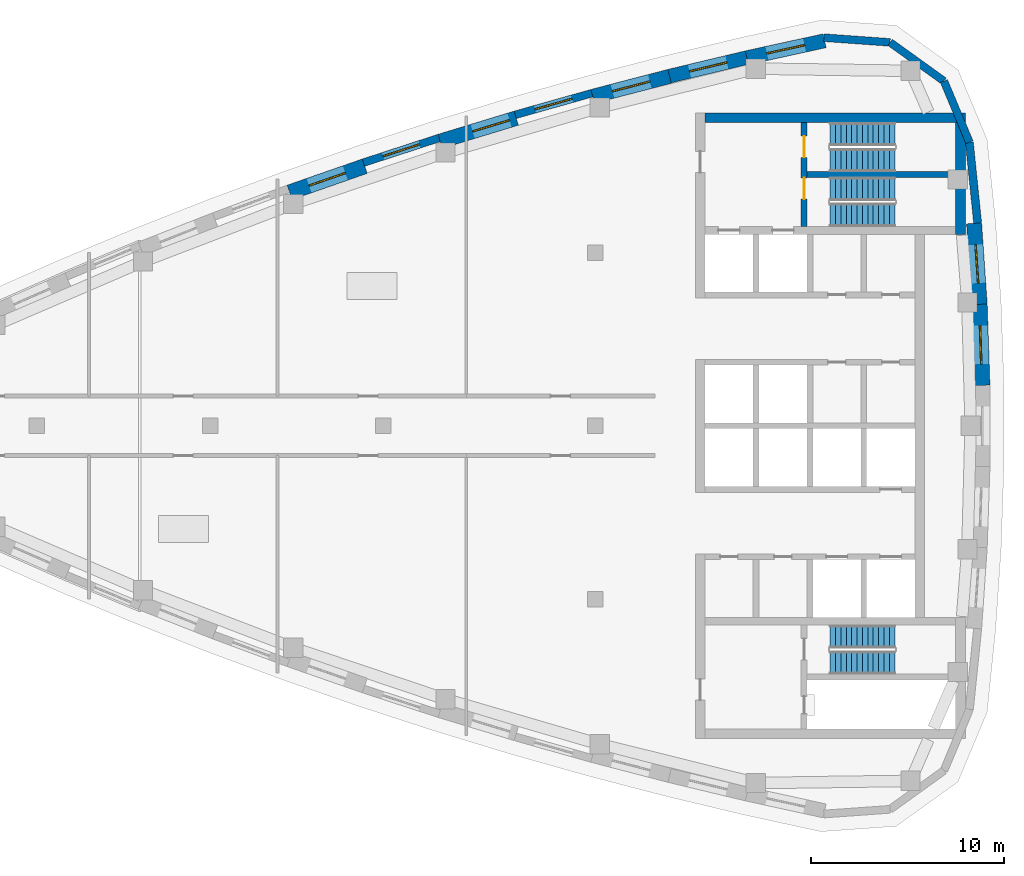
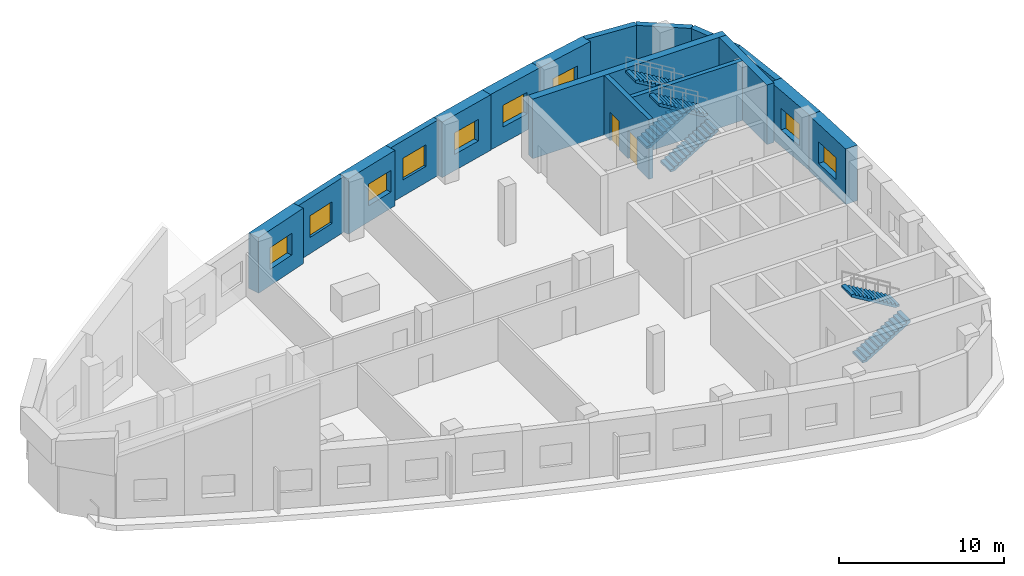
# One storey, part 4 of 7: 17 walls, 9 windows, 6 stair flights, 2 doors, 11 openings, 3 elements without a shape of their own.
"""IFC4 building model written with IfcOpenShell, lengths in metres."""

import ifcopenshell
import ifcopenshell.guid

model = None  # the IFC model being written
_history = None  # IfcOwnerHistory: only IFC2X3 demands one
_inside = {}  # id of a spatial element -> (the spatial element, [elements in it])
_under = {}  # id of a project, library or spatial element -> (it, [spatial elements below it])
_declared = {}  # id of a project -> (the project, [libraries it declares])
_typed = {}  # id of a type object -> (the type object, [elements of that type])
_made_of = {}  # id of a material, layer set ... -> (it, [elements and type objects made of it])


def new_model(schema):
    """Start an empty IFC model of exactly this schema.

    Asked for "IFC4X3", IfcOpenShell would pick the latest addendum, in which some entities
    have other attributes; the version numbers below select the first issue.
    IFC2X3 requires an IfcOwnerHistory on every rooted entity: one is made here for all.
    """
    global model, _history
    if schema == "IFC4X3":
        model = ifcopenshell.file(schema_version=(4, 3, 0, 0))
    else:
        model = ifcopenshell.file(schema=schema)
    _inside.clear()
    _under.clear()
    _declared.clear()
    _typed.clear()
    _made_of.clear()
    _history = None
    if model.schema == "IFC2X3":
        org = make("IfcOrganization", Name="unknown")
        user = make(
            "IfcPersonAndOrganization",
            ThePerson=make("IfcPerson", FamilyName="unknown"),
            TheOrganization=org,
        )
        app = make(
            "IfcApplication",
            ApplicationDeveloper=org,
            Version="unknown",
            ApplicationFullName="unknown",
            ApplicationIdentifier="unknown",
        )
        _history = make(
            "IfcOwnerHistory",
            OwningUser=user,
            OwningApplication=app,
            ChangeAction="ADDED",
            CreationDate=0,
        )
    return model


def make(cls, **values):
    """One entity of the class cls with the attributes given. An attribute that is None is left unset."""
    return model.create_entity(
        cls, **{name: value for name, value in values.items() if value is not None}
    )


def rooted(cls, **values):
    """An entity with a GlobalId (a new one), such as an element, a storey or a relation."""
    return make(cls, GlobalId=ifcopenshell.guid.new(), OwnerHistory=_history, **values)


def si_unit(unit_type, name, prefix=None):
    """IfcSIUnit, for example si_unit("LENGTHUNIT", "METRE", prefix="MILLI")."""
    return make("IfcSIUnit", UnitType=unit_type, Prefix=prefix, Name=name)


def assignment(units):
    """IfcUnitAssignment: the units of a project."""
    return None if units is None else make("IfcUnitAssignment", Units=units)


def point(xyz):
    """IfcCartesianPoint."""
    return None if xyz is None else make("IfcCartesianPoint", Coordinates=xyz)


def direction(xyz):
    """IfcDirection."""
    return None if xyz is None else make("IfcDirection", DirectionRatios=xyz)


def frame(location, z_axis=None, x_axis=None):
    """IfcAxis2Placement3D, a coordinate frame: its origin and axes. An axis left out is left unset."""
    return make(
        "IfcAxis2Placement3D",
        Location=point(location),
        Axis=direction(z_axis),
        RefDirection=direction(x_axis),
    )


def frame_2d(location, x_axis=None):
    """IfcAxis2Placement2D, a coordinate frame in the plane: its origin and x axis."""
    return make(
        "IfcAxis2Placement2D", Location=point(location), RefDirection=direction(x_axis)
    )


def origin():
    """The frame at (0, 0, 0) with its axes left unset."""
    return frame((0.0, 0.0, 0.0))


def place(relative_to, where):
    """IfcLocalPlacement: puts the frame where relative to a parent placement (None: the world)."""
    return make(
        "IfcLocalPlacement", PlacementRelTo=relative_to, RelativePlacement=where
    )


def context(
    kind, dimensions, precision=None, world=None, true_north=None, identifier=None
):
    """IfcGeometricRepresentationContext, for example the 3D "Model" context."""
    return make(
        "IfcGeometricRepresentationContext",
        ContextIdentifier=identifier,
        ContextType=kind,
        CoordinateSpaceDimension=dimensions,
        Precision=precision,
        WorldCoordinateSystem=world,
        TrueNorth=true_north,
    )


def subcontext(parent, identifier, kind, view, scale=None):
    """IfcGeometricRepresentationSubContext, for example "Body" below "Model"."""
    return make(
        "IfcGeometricRepresentationSubContext",
        ContextIdentifier=identifier,
        ContextType=kind,
        ParentContext=parent,
        TargetScale=scale,
        TargetView=view,
    )


def project(units=None, contexts=None):
    """IfcProject with its units and contexts."""
    return rooted(
        "IfcProject",
        Name="project",
        RepresentationContexts=contexts,
        UnitsInContext=assignment(units),
    )


def spatial(cls, under=None, at=None, **own):
    """A site, building, storey or space (cls), placed at a placement, below another one or the project."""
    s = rooted(cls, ObjectPlacement=at, **own)
    if under is not None:
        _under.setdefault(under.id(), (under, []))[1].append(s)
    return s


def polyline(points):
    """IfcPolyline through the points."""
    return make("IfcPolyline", Points=[point(p) for p in points])


def profile(cls, at=None, kind="AREA", **sizes):
    """A parametric profile (cls). Its sizes go by their IFC names, for example OverallWidth=200.0."""
    return make(cls, ProfileType=kind, Position=at, **sizes)


def rectangle(**sizes):
    """IfcRectangleProfileDef."""
    return profile("IfcRectangleProfileDef", **sizes)


def outline(outer, holes=None, kind="AREA"):
    """IfcArbitraryClosedProfileDef: a profile drawn as a closed curve; with holes, ...WithVoids."""
    if holes is None:
        return make("IfcArbitraryClosedProfileDef", ProfileType=kind, OuterCurve=outer)
    return make(
        "IfcArbitraryProfileDefWithVoids",
        ProfileType=kind,
        OuterCurve=outer,
        InnerCurves=holes,
    )


def extrude(swept, where, along, depth):
    """IfcExtrudedAreaSolid: the profile swept, set in the frame where, extruded along a direction by depth."""
    return make(
        "IfcExtrudedAreaSolid",
        SweptArea=swept,
        Position=where,
        ExtrudedDirection=direction(along),
        Depth=depth,
    )


def shape(context_of_items, identifier, shape_type, items):
    """IfcShapeRepresentation: the items that make up one representation, for example the "Body"."""
    return make(
        "IfcShapeRepresentation",
        ContextOfItems=context_of_items,
        RepresentationIdentifier=identifier,
        RepresentationType=shape_type,
        Items=items,
    )


def material(Name=None, Category=None):
    """IfcMaterial."""
    return make("IfcMaterial", Name=Name, Category=Category)


def layer(
    of_material, thickness, ventilated=None, Name=None, Category=None, Priority=None
):
    """IfcMaterialLayer: one layer of a wall or slab, of a material (None: an air gap)."""
    return make(
        "IfcMaterialLayer",
        Material=of_material,
        LayerThickness=thickness,
        IsVentilated=ventilated,
        Name=Name,
        Category=Category,
        Priority=Priority,
    )


def layer_set(layers, Name=None):
    """IfcMaterialLayerSet."""
    return make("IfcMaterialLayerSet", MaterialLayers=layers, LayerSetName=Name)


def made_of(thing, what):
    """Note that an element or type object is made of a material, layer set ...; save() writes the relation."""
    if what is not None:
        _made_of.setdefault(what.id(), (what, []))[1].append(thing)
    return thing


def type_object(cls, material=None, **own):
    """A type object (cls), such as IfcWallType, which elements share."""
    return made_of(rooted(cls, **own), material)


def element(
    cls,
    number,
    at=None,
    inside=None,
    cuts=None,
    type_object=None,
    material=None,
    context=None,
    identifier="Body",
    shape_type=None,
    held_by="IfcProductDefinitionShape",
    body=None,
    shapes=None,
    **own,
):
    """One element of the class cls, such as IfcWall. Its Tag is "e" and its number.

    at: its placement. inside: the storey or other place that contains it. cuts: it is an
    opening in that element (IfcRelVoidsElement). A single representation is given by context,
    identifier, shape_type and body (its items); several are given by shapes. held_by: the class
    of the entity that holds the representations. save() writes the other relations.
    """
    e = rooted(cls, Tag="e%d" % number, ObjectPlacement=at, **own)
    if body is not None:
        shapes = [shape(context, identifier, shape_type, body)]
    if shapes is not None:
        e.Representation = make(held_by, Representations=shapes)
    if inside is not None:
        _inside.setdefault(inside.id(), (inside, []))[1].append(e)
    if cuts is not None:
        rooted(
            "IfcRelVoidsElement", RelatingBuildingElement=cuts, RelatedOpeningElement=e
        )
    if type_object is not None:
        _typed.setdefault(type_object.id(), (type_object, []))[1].append(e)
    return made_of(e, material)


def fill(opening, filler):
    """IfcRelFillsElement: the door or window that sits in an opening."""
    return rooted(
        "IfcRelFillsElement",
        RelatingOpeningElement=opening,
        RelatedBuildingElement=filler,
    )


def aggregate(whole, parts):
    """IfcRelAggregates: a whole, such as a stair, and the parts it consists of."""
    return rooted("IfcRelAggregates", RelatingObject=whole, RelatedObjects=parts)


def save(model, path):
    """Write the relations noted so far, then the file.

    IfcRelAggregates (storeys below a building ...), IfcRelContainedInSpatialStructure (elements
    in a storey), IfcRelDefinesByType, IfcRelAssociatesMaterial and IfcRelDeclares: one each for
    every whole, place, type object, material and project.
    """
    for whole, parts in _under.values():
        aggregate(whole, parts)
    for where, things in _inside.values():
        rooted(
            "IfcRelContainedInSpatialStructure",
            RelatedElements=things,
            RelatingStructure=where,
        )
    for kind, things in _typed.values():
        rooted("IfcRelDefinesByType", RelatedObjects=things, RelatingType=kind)
    for what, things in _made_of.values():
        rooted("IfcRelAssociatesMaterial", RelatedObjects=things, RelatingMaterial=what)
    for by, libraries in _declared.values():
        rooted("IfcRelDeclares", RelatingContext=by, RelatedDefinitions=libraries)
    model.write(path)


model = new_model("IFC4")

# Units and contexts
model_context = context("Model", 3, precision=1e-05, world=origin(), true_north=direction((0.0, 1.0)))
body_context = subcontext(model_context, "Body", "Model", "MODEL_VIEW")
ifc_project = project(units=[si_unit("LENGTHUNIT", "METRE"), si_unit("AREAUNIT", "SQUARE_METRE"), si_unit("VOLUMEUNIT", "CUBIC_METRE"), si_unit("PLANEANGLEUNIT", "RADIAN"), si_unit("MASSUNIT", "GRAM", prefix="KILO")], contexts=[model_context])

# Site, building, storey
site_placement = place(None, origin())
site = spatial("IfcSite", under=ifc_project, at=site_placement, CompositionType="ELEMENT")
building_placement = place(site_placement, origin())
building = spatial("IfcBuilding", under=site, at=building_placement, Name="Ostrand Prow Hotel Tower", CompositionType="ELEMENT")
storey_placement = place(building_placement, frame((0.0, 0.0, 323.0)))
storey = spatial("IfcBuildingStorey", under=building, at=storey_placement, Name="C4", CompositionType="ELEMENT", Elevation=323.0)

# Wall, openings, doors
ifc_material_1 = material(Name="Concrete C40/50", Category="concrete")
ifc_layer_1 = layer(ifc_material_1, 0.300048828125)
ifc_layer_set_1 = layer_set([ifc_layer_1], Name="Concrete C40/50")
wall_type_1 = type_object("IfcWallType", Name="Core wall 300 C40/50", PredefinedType="SHEAR", material=ifc_layer_set_1)
wall_1_placement = place(storey_placement, frame((55.85009765625, 10.35009765625, 0.0), z_axis=(0.0, 0.0, 1.0), x_axis=(0.0, 1.0, 0.0)))
wall_1 = element("IfcWall", 1, at=wall_1_placement, inside=storey, type_object=wall_type_1, Name="Core wall PW-VN", PredefinedType="SHEAR", context=body_context, shape_type="SweptSolid", body=[
    extrude(rectangle(XDim=5.39990234375, YDim=0.300048828125, at=frame_2d((2.699951171875, 0.0))), origin(), (0.0, 0.0, 1.0), 4.39990234375),
])
opening_1_placement = place(wall_1_placement, frame((1.429931640625, 0.0, 0.0)))
opening_1 = element("IfcOpeningElement", 2, at=opening_1_placement, cuts=wall_1, Name="Opening FD1", PredefinedType="OPENING", context=body_context, shape_type="SweptSolid", body=[
    extrude(rectangle(XDim=1.10009765625, YDim=2.10009765625, at=frame_2d((0.550048828125, 1.050048828125))), frame((0.0, 0.159912109375, 0.0), z_axis=(0.0, -1.0, 0.0), x_axis=(1.0, 0.0, 0.0)), (0.0, 0.0, 1.0), 0.320068359375),
])
opening_2_placement = place(wall_1_placement, frame((3.60009765625, 0.0, 0.0)))
opening_2 = element("IfcOpeningElement", 3, at=opening_2_placement, cuts=wall_1, Name="Opening FD1", PredefinedType="OPENING", context=body_context, shape_type="SweptSolid", body=[
    extrude(rectangle(XDim=1.10009765625, YDim=2.10009765625, at=frame_2d((0.550048828125, 1.050048828125))), frame((0.0, 0.159912109375, 0.0), z_axis=(0.0, -1.0, 0.0), x_axis=(1.0, 0.0, 0.0)), (0.0, 0.0, 1.0), 0.320068359375),
])
ifc_material_2 = material(Name="Steel fire door", Category="steel")
door_type = type_object("IfcDoorType", Name="Fire door 1100 EI120", OperationType="SINGLE_SWING_RIGHT", PredefinedType="DOOR", material=ifc_material_2)
door_1_placement = place(opening_1_placement, origin())
door_1 = element("IfcDoor", 4, at=door_1_placement, inside=storey, type_object=door_type, Name="FIRE DOOR", OperationType="SINGLE_SWING_RIGHT", OverallHeight=2.10009765625, OverallWidth=1.10009765625, PredefinedType="DOOR", context=body_context, shape_type="SweptSolid", body=[
    extrude(rectangle(XDim=1.10009765625, YDim=2.10009765625, at=frame_2d((0.550048828125, 1.050048828125))), frame((0.0, 0.02490234375, 0.0), z_axis=(0.0, -1.0, 0.0), x_axis=(1.0, 0.0, 0.0)), (0.0, 0.0, 1.0), 0.050048828125),
])
fill(opening_1, door_1)
door_2_placement = place(opening_2_placement, origin())
door_2 = element("IfcDoor", 5, at=door_2_placement, inside=storey, type_object=door_type, Name="FIRE DOOR", OperationType="SINGLE_SWING_RIGHT", OverallHeight=2.10009765625, OverallWidth=1.10009765625, PredefinedType="DOOR", context=body_context, shape_type="SweptSolid", body=[
    extrude(rectangle(XDim=1.10009765625, YDim=2.10009765625, at=frame_2d((0.550048828125, 1.050048828125))), frame((0.0, 0.02490234375, 0.0), z_axis=(0.0, -1.0, 0.0), x_axis=(1.0, 0.0, 0.0)), (0.0, 0.0, 1.0), 0.050048828125),
])
fill(opening_2, door_2)

# Walls
wall_2_placement = place(storey_placement, frame((56.0, 13.050048828125, 0.0), z_axis=(0.0, 0.0, 1.0), x_axis=(1.0, 0.0, 0.0)))
element("IfcWall", 6, at=wall_2_placement, inside=storey, type_object=wall_type_1, Name="Core wall PW-ST13", PredefinedType="SHEAR", context=body_context, shape_type="SweptSolid", body=[
    extrude(rectangle(XDim=7.719970703125, YDim=0.300048828125, at=frame_2d((3.85986328125, 0.0))), origin(), (0.0, 0.0, 1.0), 4.39990234375),
])
ifc_material_3 = material(Name="Concrete C40/50", Category="concrete")
ifc_layer_2 = layer(ifc_material_3, 0.5)
ifc_layer_set_2 = layer_set([ifc_layer_2], Name="Concrete C40/50")
wall_type_2 = type_object("IfcWallType", Name="Core wall 500 C40/50", PredefinedType="SHEAR", material=ifc_layer_set_2)
wall_3_placement = place(storey_placement, frame((50.699951171875, 16.0, 0.0), z_axis=(0.0, 0.0, 1.0), x_axis=(1.0, 0.0, 0.0)))
element("IfcWall", 7, at=wall_3_placement, inside=storey, type_object=wall_type_2, Name="Core wall CW-N", PredefinedType="SHEAR", context=body_context, shape_type="SweptSolid", body=[
    extrude(rectangle(XDim=13.52001953125, YDim=0.5, at=frame_2d((6.760009765625, 0.0))), origin(), (0.0, 0.0, 1.0), 4.39990234375),
])
wall_4_placement = place(storey_placement, frame((63.969970703125, 9.949951171875, 0.0), z_axis=(0.0, 0.0, 1.0), x_axis=(0.0, 1.0, 0.0)))
element("IfcWall", 8, at=wall_4_placement, inside=storey, type_object=wall_type_2, Name="Core wall CW-E-N", PredefinedType="SHEAR", context=body_context, shape_type="SweptSolid", body=[
    extrude(rectangle(XDim=5.800048828125, YDim=0.5, at=frame_2d((2.89990234375, 0.0))), origin(), (0.0, 0.0, 1.0), 4.39990234375),
])

# Wall, opening, window
ifc_material_4 = material(Name="Precast concrete C40/50", Category="concrete")
ifc_layer_3 = layer(ifc_material_4, 0.39990234375)
ifc_layer_set_3 = layer_set([ifc_layer_3], Name="Precast concrete C40/50")
wall_type_3 = type_object("IfcWallType", Name="Stone-faced precast wall 400 mm", PredefinedType="NOTDEFINED", material=ifc_layer_set_3)
wall_5_placement = place(storey_placement, frame((65.089599609375, 2.1015625, 0.0), z_axis=(0.0, 0.0, 1.0), x_axis=(-0.034151270612, 0.999416675224, 0.0)))
wall_5 = element("IfcWall", 9, at=wall_5_placement, inside=storey, type_object=wall_type_3, Name="Crown side wall C4 23", PredefinedType="NOTDEFINED", context=body_context, shape_type="SweptSolid", body=[
    extrude(rectangle(XDim=4.2177734375, YDim=0.825439453125, at=frame_2d((2.10888671875, 0.0))), origin(), (0.0, 0.0, 1.0), 4.10009765625),
])
opening_3_placement = place(wall_5_placement, frame((1.10888671875, 0.0, 1.199951171875)))
opening_3 = element("IfcOpeningElement", 10, at=opening_3_placement, cuts=wall_5, Name="Opening WV1", PredefinedType="OPENING", context=body_context, shape_type="SweptSolid", body=[
    extrude(rectangle(XDim=2.0, YDim=1.60009765625, at=frame_2d((1.0, 0.800048828125))), frame((0.0, 0.422607421875, 0.0), z_axis=(0.0, -1.0, 0.0), x_axis=(1.0, 0.0, 0.0)), (0.0, 0.0, 1.0), 0.845458984375),
])
ifc_material_5 = material(Name="Bronze anodised aluminium louvre", Category="aluminium")
window_type = type_object("IfcWindowType", Name="Louvre vent 2000x1600", PartitioningType="SINGLE_PANEL", PredefinedType="WINDOW", material=ifc_material_5)
window_1_placement = place(opening_3_placement, origin())
window_1 = element("IfcWindow", 11, at=window_1_placement, inside=storey, type_object=window_type, Name="Louvre vent 23.1", OverallHeight=1.60009765625, OverallWidth=2.0, PartitioningType="SINGLE_PANEL", PredefinedType="WINDOW", context=body_context, shape_type="SweptSolid", body=[
    extrude(rectangle(XDim=2.0, YDim=1.60009765625, at=frame_2d((1.0, 0.800048828125))), frame((0.0, 0.030029296875, 0.0), z_axis=(0.0, -1.0, 0.0), x_axis=(1.0, 0.0, 0.0)), (0.0, 0.0, 1.0), 0.06005859375),
])
fill(opening_3, window_1)

wall_6_placement = place(storey_placement, frame((64.966064453125, 6.310791015625, 0.0), z_axis=(0.0, 0.0, 1.0), x_axis=(-0.068243871044, 0.997668669481, 0.0)))
wall_6 = element("IfcWall", 12, at=wall_6_placement, inside=storey, type_object=wall_type_3, Name="Crown side wall C4 24", PredefinedType="NOTDEFINED", context=body_context, shape_type="SweptSolid", body=[
    extrude(rectangle(XDim=4.2177734375, YDim=0.784912109375, at=frame_2d((2.10888671875, 0.0))), origin(), (0.0, 0.0, 1.0), 4.10009765625),
])
opening_4_placement = place(wall_6_placement, frame((1.10888671875, 0.0, 1.199951171875)))
opening_4 = element("IfcOpeningElement", 13, at=opening_4_placement, cuts=wall_6, Name="Opening WV1", PredefinedType="OPENING", context=body_context, shape_type="SweptSolid", body=[
    extrude(rectangle(XDim=2.0, YDim=1.60009765625, at=frame_2d((1.0, 0.800048828125))), frame((0.0, 0.40234375, 0.0), z_axis=(0.0, -1.0, 0.0), x_axis=(1.0, 0.0, 0.0)), (0.0, 0.0, 1.0), 0.804931640625),
])
window_2_placement = place(opening_4_placement, origin())
window_2 = element("IfcWindow", 14, at=window_2_placement, inside=storey, type_object=window_type, Name="Louvre vent 24.1", OverallHeight=1.60009765625, OverallWidth=2.0, PartitioningType="SINGLE_PANEL", PredefinedType="WINDOW", context=body_context, shape_type="SweptSolid", body=[
    extrude(rectangle(XDim=2.0, YDim=1.60009765625, at=frame_2d((1.0, 0.800048828125))), frame((0.0, 0.030029296875, 0.0), z_axis=(0.0, -1.0, 0.0), x_axis=(1.0, 0.0, 0.0)), (0.0, 0.0, 1.0), 0.06005859375),
])
fill(opening_4, window_2)

# Walls
wall_7_placement = place(storey_placement, frame((64.86328125, 10.531005859375, 0.0), z_axis=(0.0, 0.0, 1.0), x_axis=(-0.102219795478, 0.994761837533, 0.0)))
element("IfcWall", 15, at=wall_7_placement, inside=storey, type_object=wall_type_3, Name="Crown side wall C4 25", PredefinedType="NOTDEFINED", context=body_context, shape_type="SweptSolid", body=[
    extrude(rectangle(XDim=4.2177734375, YDim=0.413818359375, at=frame_2d((2.10888671875, 0.0))), origin(), (0.0, 0.0, 1.0), 4.10009765625),
])
for number, where, z_axis, x_axis, name in (
    (16, (64.43896484375, 14.727294921875, 0.0), (0.0, 0.0, 1.0), (-0.385279586197, 0.922799891884, 0.0), "Crown side wall C4 26"),
    (17, (63.11181640625, 17.906005859375, 0.0), (0.0, 0.0, 1.0), (-0.811948187253, 0.583729510319, 0.0), "Crown side wall C4 27"),
):
    element("IfcWall", number, at=place(storey_placement, frame(where, z_axis=z_axis, x_axis=x_axis)), inside=storey, type_object=wall_type_3, Name=name, PredefinedType="NOTDEFINED", context=body_context, shape_type="SweptSolid", body=[
        extrude(rectangle(XDim=3.444580078125, YDim=0.39990234375, at=frame_2d((1.72216796875, 0.0))), origin(), (0.0, 0.0, 1.0), 4.10009765625),
    ])
wall_8_placement = place(storey_placement, frame((60.31494140625, 19.916748046875, 0.0), z_axis=(0.0, 0.0, 1.0), x_axis=(-0.997465171407, 0.071156389945, 0.0)))
element("IfcWall", 18, at=wall_8_placement, inside=storey, type_object=wall_type_3, Name="Crown side wall C4 28", PredefinedType="NOTDEFINED", context=body_context, shape_type="SweptSolid", body=[
    extrude(rectangle(XDim=3.44482421875, YDim=0.39990234375, at=frame_2d((1.722412109375, 0.0))), origin(), (0.0, 0.0, 1.0), 4.10009765625),
])

# Wall, opening, window
wall_9_placement = place(storey_placement, frame((56.91455078125, 19.99951171875, 0.0), z_axis=(0.0, 0.0, 1.0), x_axis=(-0.977019340581, -0.213150670022, 0.0)))
wall_9 = element("IfcWall", 19, at=wall_9_placement, inside=storey, type_object=wall_type_3, Name="Crown side wall C4 29", PredefinedType="NOTDEFINED", context=body_context, shape_type="SweptSolid", body=[
    extrude(rectangle(XDim=4.132568359375, YDim=0.732666015625, at=frame_2d((2.06640625, 0.0))), origin(), (0.0, 0.0, 1.0), 4.10009765625),
])
opening_5_placement = place(wall_9_placement, frame((1.06640625, 0.0, 1.199951171875)))
opening_5 = element("IfcOpeningElement", 20, at=opening_5_placement, cuts=wall_9, Name="Opening WV1", PredefinedType="OPENING", context=body_context, shape_type="SweptSolid", body=[
    extrude(rectangle(XDim=2.0, YDim=1.60009765625, at=frame_2d((1.0, 0.800048828125))), frame((0.0, 0.376220703125, 0.0), z_axis=(0.0, -1.0, 0.0), x_axis=(1.0, 0.0, 0.0)), (0.0, 0.0, 1.0), 0.752685546875),
])
window_3_placement = place(opening_5_placement, origin())
window_3 = element("IfcWindow", 21, at=window_3_placement, inside=storey, type_object=window_type, Name="Louvre vent 29.1", OverallHeight=1.60009765625, OverallWidth=2.0, PartitioningType="SINGLE_PANEL", PredefinedType="WINDOW", context=body_context, shape_type="SweptSolid", body=[
    extrude(rectangle(XDim=2.0, YDim=1.60009765625, at=frame_2d((1.0, 0.800048828125))), frame((0.0, 0.030029296875, 0.0), z_axis=(0.0, -1.0, 0.0), x_axis=(1.0, 0.0, 0.0)), (0.0, 0.0, 1.0), 0.06005859375),
])
fill(opening_5, window_3)

wall_10_placement = place(storey_placement, frame((52.87890625, 19.125, 0.0), z_axis=(0.0, 0.0, 1.0), x_axis=(-0.972546345517, -0.232709273174, 0.0)))
wall_10 = element("IfcWall", 22, at=wall_10_placement, inside=storey, type_object=wall_type_3, Name="Crown side wall C4 30", PredefinedType="NOTDEFINED", context=body_context, shape_type="SweptSolid", body=[
    extrude(rectangle(XDim=4.132568359375, YDim=0.720703125, at=frame_2d((2.06640625, 0.0))), origin(), (0.0, 0.0, 1.0), 4.10009765625),
])
opening_6_placement = place(wall_10_placement, frame((1.06640625, 0.0, 1.199951171875)))
opening_6 = element("IfcOpeningElement", 23, at=opening_6_placement, cuts=wall_10, Name="Opening WV1", PredefinedType="OPENING", context=body_context, shape_type="SweptSolid", body=[
    extrude(rectangle(XDim=2.0, YDim=1.60009765625, at=frame_2d((1.0, 0.800048828125))), frame((0.0, 0.370361328125, 0.0), z_axis=(0.0, -1.0, 0.0), x_axis=(1.0, 0.0, 0.0)), (0.0, 0.0, 1.0), 0.74072265625),
])
window_4_placement = place(opening_6_placement, origin())
window_4 = element("IfcWindow", 24, at=window_4_placement, inside=storey, type_object=window_type, Name="Louvre vent 30.1", OverallHeight=1.60009765625, OverallWidth=2.0, PartitioningType="SINGLE_PANEL", PredefinedType="WINDOW", context=body_context, shape_type="SweptSolid", body=[
    extrude(rectangle(XDim=2.0, YDim=1.60009765625, at=frame_2d((1.0, 0.800048828125))), frame((0.0, 0.030029296875, 0.0), z_axis=(0.0, -1.0, 0.0), x_axis=(1.0, 0.0, 0.0)), (0.0, 0.0, 1.0), 0.06005859375),
])
fill(opening_6, window_4)

wall_11_placement = place(storey_placement, frame((48.865966796875, 18.152587890625, 0.0), z_axis=(0.0, 0.0, 1.0), x_axis=(-0.967657413064, -0.252267974466, 0.0)))
wall_11 = element("IfcWall", 25, at=wall_11_placement, inside=storey, type_object=wall_type_3, Name="Crown side wall C4 31", PredefinedType="NOTDEFINED", context=body_context, shape_type="SweptSolid", body=[
    extrude(rectangle(XDim=4.13232421875, YDim=0.74462890625, at=frame_2d((2.066162109375, 0.0))), origin(), (0.0, 0.0, 1.0), 4.10009765625),
])
opening_7_placement = place(wall_11_placement, frame((1.06640625, 0.0, 1.199951171875)))
opening_7 = element("IfcOpeningElement", 26, at=opening_7_placement, cuts=wall_11, Name="Opening WV1", PredefinedType="OPENING", context=body_context, shape_type="SweptSolid", body=[
    extrude(rectangle(XDim=2.0, YDim=1.60009765625, at=frame_2d((1.0, 0.800048828125))), frame((0.0, 0.38232421875, 0.0), z_axis=(0.0, -1.0, 0.0), x_axis=(1.0, 0.0, 0.0)), (0.0, 0.0, 1.0), 0.7646484375),
])
window_5_placement = place(opening_7_placement, origin())
window_5 = element("IfcWindow", 27, at=window_5_placement, inside=storey, type_object=window_type, Name="Louvre vent 31.1", OverallHeight=1.60009765625, OverallWidth=2.0, PartitioningType="SINGLE_PANEL", PredefinedType="WINDOW", context=body_context, shape_type="SweptSolid", body=[
    extrude(rectangle(XDim=2.0, YDim=1.60009765625, at=frame_2d((1.0, 0.800048828125))), frame((0.0, 0.030029296875, 0.0), z_axis=(0.0, -1.0, 0.0), x_axis=(1.0, 0.0, 0.0)), (0.0, 0.0, 1.0), 0.06005859375),
])
fill(opening_7, window_5)

wall_12_placement = place(storey_placement, frame((44.823486328125, 17.27685546875, 0.0), z_axis=(0.0, 0.0, 1.0), x_axis=(-0.962397415317, -0.27164538463, 0.0)))
wall_12 = element("IfcWall", 28, at=wall_12_placement, inside=storey, type_object=wall_type_3, Name="Crown side wall C4 32", PredefinedType="NOTDEFINED", context=body_context, shape_type="SweptSolid", body=[
    extrude(rectangle(XDim=4.13232421875, YDim=0.39990234375, at=frame_2d((2.066162109375, 0.0))), origin(), (0.0, 0.0, 1.0), 4.10009765625),
])
opening_8_placement = place(wall_12_placement, frame((1.06640625, 0.0, 1.199951171875)))
opening_8 = element("IfcOpeningElement", 29, at=opening_8_placement, cuts=wall_12, Name="Opening WV1", PredefinedType="OPENING", context=body_context, shape_type="SweptSolid", body=[
    extrude(rectangle(XDim=2.0, YDim=1.60009765625, at=frame_2d((1.0, 0.800048828125))), frame((0.0, 0.2099609375, 0.0), z_axis=(0.0, -1.0, 0.0), x_axis=(1.0, 0.0, 0.0)), (0.0, 0.0, 1.0), 0.419921875),
])
window_6_placement = place(opening_8_placement, origin())
window_6 = element("IfcWindow", 30, at=window_6_placement, inside=storey, type_object=window_type, Name="Louvre vent 32.1", OverallHeight=1.60009765625, OverallWidth=2.0, PartitioningType="SINGLE_PANEL", PredefinedType="WINDOW", context=body_context, shape_type="SweptSolid", body=[
    extrude(rectangle(XDim=2.0, YDim=1.60009765625, at=frame_2d((1.0, 0.800048828125))), frame((0.0, 0.030029296875, 0.0), z_axis=(0.0, -1.0, 0.0), x_axis=(1.0, 0.0, 0.0)), (0.0, 0.0, 1.0), 0.06005859375),
])
fill(opening_8, window_6)

wall_13_placement = place(storey_placement, frame((40.899658203125, 15.979736328125, 0.0), z_axis=(0.0, 0.0, 1.0), x_axis=(-0.956738247994, -0.290950038368, 0.0)))
wall_13 = element("IfcWall", 31, at=wall_13_placement, inside=storey, type_object=wall_type_3, Name="Crown side wall C4 33", PredefinedType="NOTDEFINED", context=body_context, shape_type="SweptSolid", body=[
    extrude(rectangle(XDim=4.132568359375, YDim=0.764892578125, at=frame_2d((2.06640625, 0.0))), origin(), (0.0, 0.0, 1.0), 4.10009765625),
])
opening_9_placement = place(wall_13_placement, frame((0.3662109375, 0.0, 1.199951171875)))
opening_9 = element("IfcOpeningElement", 32, at=opening_9_placement, cuts=wall_13, Name="Opening WV1", PredefinedType="OPENING", context=body_context, shape_type="SweptSolid", body=[
    extrude(rectangle(XDim=2.0, YDim=1.60009765625, at=frame_2d((1.0, 0.800048828125))), frame((0.0, 0.392333984375, 0.0), z_axis=(0.0, -1.0, 0.0), x_axis=(1.0, 0.0, 0.0)), (0.0, 0.0, 1.0), 0.784912109375),
])
window_7_placement = place(opening_9_placement, origin())
window_7 = element("IfcWindow", 33, at=window_7_placement, inside=storey, type_object=window_type, Name="Louvre vent 33.1", OverallHeight=1.60009765625, OverallWidth=2.0, PartitioningType="SINGLE_PANEL", PredefinedType="WINDOW", context=body_context, shape_type="SweptSolid", body=[
    extrude(rectangle(XDim=2.0, YDim=1.60009765625, at=frame_2d((1.0, 0.800048828125))), frame((0.0, 0.030029296875, 0.0), z_axis=(0.0, -1.0, 0.0), x_axis=(1.0, 0.0, 0.0)), (0.0, 0.0, 1.0), 0.06005859375),
])
fill(opening_9, window_7)

wall_14_placement = place(storey_placement, frame((36.892822265625, 14.951904296875, 0.0), z_axis=(0.0, 0.0, 1.0), x_axis=(-0.950701822842, -0.310106504356, 0.0)))
wall_14 = element("IfcWall", 34, at=wall_14_placement, inside=storey, type_object=wall_type_3, Name="Crown side wall C4 34", PredefinedType="NOTDEFINED", context=body_context, shape_type="SweptSolid", body=[
    extrude(rectangle(XDim=4.13232421875, YDim=0.39990234375, at=frame_2d((2.066162109375, 0.0))), origin(), (0.0, 0.0, 1.0), 4.10009765625),
])
opening_10_placement = place(wall_14_placement, frame((1.06640625, 0.0, 1.199951171875)))
opening_10 = element("IfcOpeningElement", 35, at=opening_10_placement, cuts=wall_14, Name="Opening WV1", PredefinedType="OPENING", context=body_context, shape_type="SweptSolid", body=[
    extrude(rectangle(XDim=2.0, YDim=1.60009765625, at=frame_2d((1.0, 0.800048828125))), frame((0.0, 0.2099609375, 0.0), z_axis=(0.0, -1.0, 0.0), x_axis=(1.0, 0.0, 0.0)), (0.0, 0.0, 1.0), 0.419921875),
])
window_8_placement = place(opening_10_placement, origin())
window_8 = element("IfcWindow", 36, at=window_8_placement, inside=storey, type_object=window_type, Name="Louvre vent 34.1", OverallHeight=1.60009765625, OverallWidth=2.0, PartitioningType="SINGLE_PANEL", PredefinedType="WINDOW", context=body_context, shape_type="SweptSolid", body=[
    extrude(rectangle(XDim=2.0, YDim=1.60009765625, at=frame_2d((1.0, 0.800048828125))), frame((0.0, 0.030029296875, 0.0), z_axis=(0.0, -1.0, 0.0), x_axis=(1.0, 0.0, 0.0)), (0.0, 0.0, 1.0), 0.06005859375),
])
fill(opening_10, window_8)

wall_15_placement = place(storey_placement, frame((33.02880859375, 13.484619140625, 0.0), z_axis=(0.0, 0.0, 1.0), x_axis=(-0.944288592168, -0.329118602788, 0.0)))
wall_15 = element("IfcWall", 37, at=wall_15_placement, inside=storey, type_object=wall_type_3, Name="Crown side wall C4 35", PredefinedType="NOTDEFINED", context=body_context, shape_type="SweptSolid", body=[
    extrude(rectangle(XDim=4.132568359375, YDim=0.793212890625, at=frame_2d((2.06640625, 0.0))), origin(), (0.0, 0.0, 1.0), 4.10009765625),
])
opening_11_placement = place(wall_15_placement, frame((1.06640625, 0.0, 1.199951171875)))
opening_11 = element("IfcOpeningElement", 38, at=opening_11_placement, cuts=wall_15, Name="Opening WV1", PredefinedType="OPENING", context=body_context, shape_type="SweptSolid", body=[
    extrude(rectangle(XDim=2.0, YDim=1.60009765625, at=frame_2d((1.0, 0.800048828125))), frame((0.0, 0.406494140625, 0.0), z_axis=(0.0, -1.0, 0.0), x_axis=(1.0, 0.0, 0.0)), (0.0, 0.0, 1.0), 0.813232421875),
])
window_9_placement = place(opening_11_placement, origin())
window_9 = element("IfcWindow", 39, at=window_9_placement, inside=storey, type_object=window_type, Name="Louvre vent 35.1", OverallHeight=1.60009765625, OverallWidth=2.0, PartitioningType="SINGLE_PANEL", PredefinedType="WINDOW", context=body_context, shape_type="SweptSolid", body=[
    extrude(rectangle(XDim=2.0, YDim=1.60009765625, at=frame_2d((1.0, 0.800048828125))), frame((0.0, 0.030029296875, 0.0), z_axis=(0.0, -1.0, 0.0), x_axis=(1.0, 0.0, 0.0)), (0.0, 0.0, 1.0), 0.06005859375),
])
fill(opening_11, window_9)

# Stair, stair flights
ifc_material_6 = material(Name="Concrete C40/50", Category="concrete")
stair_type = type_object("IfcStairType", Name="Exit stair 1200 upper zone", PredefinedType="HALF_TURN_STAIR", material=ifc_material_6)
stair_1_placement = place(storey_placement, origin())
stair_1 = element("IfcStair", 40, at=stair_1_placement, inside=storey, type_object=stair_type, Name="C4 ST1C", PredefinedType="HALF_TURN_STAIR")
ifc_material_7 = material(Name="Concrete C40/50", Category="concrete")
stair_flight_type = type_object("IfcStairFlightType", Name="Stair flight 1200 concrete", PredefinedType="STRAIGHT", material=ifc_material_7)
stair_flight_1_placement = place(storey_placement, frame((57.199951171875, 10.949951171875, 0.0), z_axis=(0.0, 0.0, 1.0), x_axis=(1.0, 0.0, 0.0)))
stair_flight_1 = element("IfcStairFlight", 41, at=stair_flight_1_placement, type_object=stair_flight_type, Name="ST1C flight 1", NumberOfRisers=13, NumberOfTreads=12, PredefinedType="STRAIGHT", RiserHeight=0.169230769, TreadLength=0.28, context=body_context, shape_type="SweptSolid", body=[
    extrude(outline(polyline([(0.0, 0.0), (0.0, 0.169189453125), (0.280029296875, 0.169189453125), (0.280029296875, 0.33837890625), (0.56005859375, 0.33837890625), (0.56005859375, 0.5078125), (0.840087890625, 0.5078125), (0.840087890625, 0.677001953125), (1.1201171875, 0.677001953125), (1.1201171875, 0.84619140625), (1.39990234375, 0.84619140625), (1.39990234375, 1.015380859375), (1.679931640625, 1.015380859375), (1.679931640625, 1.1845703125), (1.9599609375, 1.1845703125), (1.9599609375, 1.353759765625), (2.239990234375, 1.353759765625), (2.239990234375, 1.523193359375), (2.52001953125, 1.523193359375), (2.52001953125, 1.6923828125), (2.800048828125, 1.6923828125), (2.800048828125, 1.861572265625), (3.080078125, 1.861572265625), (3.080078125, 2.03076171875), (3.360107421875, 2.03076171875), (3.360107421875, 2.199951171875), (3.360107421875, 1.855712890625), (0.289794921875, 0.0), (0.0, 0.0)])), frame((0.0, 0.60009765625, 0.0), z_axis=(0.0, -1.0, 0.0), x_axis=(1.0, 0.0, 0.0)), (0.0, 0.0, 1.0), 1.199951171875),
])
stair_flight_2_placement = place(storey_placement, frame((60.56005859375, 12.300048828125, 2.199951171875), z_axis=(0.0, 0.0, 1.0), x_axis=(-1.0, 0.0, 0.0)))
stair_flight_2 = element("IfcStairFlight", 42, at=stair_flight_2_placement, type_object=stair_flight_type, Name="ST1C flight 2", NumberOfRisers=13, NumberOfTreads=12, PredefinedType="STRAIGHT", RiserHeight=0.169230769, TreadLength=0.28, context=body_context, shape_type="SweptSolid", body=[
    extrude(outline(polyline([(0.0, 0.0), (0.0, 0.169189453125), (0.280029296875, 0.169189453125), (0.280029296875, 0.33837890625), (0.56005859375, 0.33837890625), (0.56005859375, 0.5078125), (0.840087890625, 0.5078125), (0.840087890625, 0.677001953125), (1.1201171875, 0.677001953125), (1.1201171875, 0.84619140625), (1.39990234375, 0.84619140625), (1.39990234375, 1.015380859375), (1.679931640625, 1.015380859375), (1.679931640625, 1.1845703125), (1.9599609375, 1.1845703125), (1.9599609375, 1.353759765625), (2.239990234375, 1.353759765625), (2.239990234375, 1.523193359375), (2.52001953125, 1.523193359375), (2.52001953125, 1.6923828125), (2.800048828125, 1.6923828125), (2.800048828125, 1.861572265625), (3.080078125, 1.861572265625), (3.080078125, 2.03076171875), (3.360107421875, 2.03076171875), (3.360107421875, 2.199951171875), (3.360107421875, 1.855712890625), (0.289794921875, 0.0), (0.0, 0.0)])), frame((0.0, 0.60009765625, 0.0), z_axis=(0.0, -1.0, 0.0), x_axis=(1.0, 0.0, 0.0)), (0.0, 0.0, 1.0), 1.199951171875),
])
aggregate(stair_1, [stair_flight_1, stair_flight_2])

stair_2_placement = place(storey_placement, origin())
stair_2 = element("IfcStair", 43, at=stair_2_placement, inside=storey, type_object=stair_type, Name="C4 ST3C", PredefinedType="HALF_TURN_STAIR")
stair_flight_3_placement = place(storey_placement, frame((57.199951171875, 13.800048828125, 0.0), z_axis=(0.0, 0.0, 1.0), x_axis=(1.0, 0.0, 0.0)))
stair_flight_3 = element("IfcStairFlight", 44, at=stair_flight_3_placement, type_object=stair_flight_type, Name="ST3C flight 1", NumberOfRisers=13, NumberOfTreads=12, PredefinedType="STRAIGHT", RiserHeight=0.169230769, TreadLength=0.28, context=body_context, shape_type="SweptSolid", body=[
    extrude(outline(polyline([(0.0, 0.0), (0.0, 0.169189453125), (0.280029296875, 0.169189453125), (0.280029296875, 0.33837890625), (0.56005859375, 0.33837890625), (0.56005859375, 0.5078125), (0.840087890625, 0.5078125), (0.840087890625, 0.677001953125), (1.1201171875, 0.677001953125), (1.1201171875, 0.84619140625), (1.39990234375, 0.84619140625), (1.39990234375, 1.015380859375), (1.679931640625, 1.015380859375), (1.679931640625, 1.1845703125), (1.9599609375, 1.1845703125), (1.9599609375, 1.353759765625), (2.239990234375, 1.353759765625), (2.239990234375, 1.523193359375), (2.52001953125, 1.523193359375), (2.52001953125, 1.6923828125), (2.800048828125, 1.6923828125), (2.800048828125, 1.861572265625), (3.080078125, 1.861572265625), (3.080078125, 2.03076171875), (3.360107421875, 2.03076171875), (3.360107421875, 2.199951171875), (3.360107421875, 1.855712890625), (0.289794921875, 0.0), (0.0, 0.0)])), frame((0.0, 0.60009765625, 0.0), z_axis=(0.0, -1.0, 0.0), x_axis=(1.0, 0.0, 0.0)), (0.0, 0.0, 1.0), 1.199951171875),
])
stair_flight_4_placement = place(storey_placement, frame((60.56005859375, 15.14990234375, 2.199951171875), z_axis=(0.0, 0.0, 1.0), x_axis=(-1.0, 0.0, 0.0)))
stair_flight_4 = element("IfcStairFlight", 45, at=stair_flight_4_placement, type_object=stair_flight_type, Name="ST3C flight 2", NumberOfRisers=13, NumberOfTreads=12, PredefinedType="STRAIGHT", RiserHeight=0.169230769, TreadLength=0.28, context=body_context, shape_type="SweptSolid", body=[
    extrude(outline(polyline([(0.0, 0.0), (0.0, 0.169189453125), (0.280029296875, 0.169189453125), (0.280029296875, 0.33837890625), (0.56005859375, 0.33837890625), (0.56005859375, 0.5078125), (0.840087890625, 0.5078125), (0.840087890625, 0.677001953125), (1.1201171875, 0.677001953125), (1.1201171875, 0.84619140625), (1.39990234375, 0.84619140625), (1.39990234375, 1.015380859375), (1.679931640625, 1.015380859375), (1.679931640625, 1.1845703125), (1.9599609375, 1.1845703125), (1.9599609375, 1.353759765625), (2.239990234375, 1.353759765625), (2.239990234375, 1.523193359375), (2.52001953125, 1.523193359375), (2.52001953125, 1.6923828125), (2.800048828125, 1.6923828125), (2.800048828125, 1.861572265625), (3.080078125, 1.861572265625), (3.080078125, 2.03076171875), (3.360107421875, 2.03076171875), (3.360107421875, 2.199951171875), (3.360107421875, 1.855712890625), (0.289794921875, 0.0), (0.0, 0.0)])), frame((0.0, 0.60009765625, 0.0), z_axis=(0.0, -1.0, 0.0), x_axis=(1.0, 0.0, 0.0)), (0.0, 0.0, 1.0), 1.199951171875),
])
aggregate(stair_2, [stair_flight_3, stair_flight_4])

stair_3_placement = place(storey_placement, origin())
stair_3 = element("IfcStair", 46, at=stair_3_placement, inside=storey, type_object=stair_type, Name="C4 ST2C", PredefinedType="HALF_TURN_STAIR")
stair_flight_5_placement = place(storey_placement, frame((57.199951171875, -12.300048828125, 0.0), z_axis=(0.0, 0.0, 1.0), x_axis=(1.0, 0.0, 0.0)))
stair_flight_5 = element("IfcStairFlight", 47, at=stair_flight_5_placement, type_object=stair_flight_type, Name="ST2C flight 1", NumberOfRisers=13, NumberOfTreads=12, PredefinedType="STRAIGHT", RiserHeight=0.169230769, TreadLength=0.28, context=body_context, shape_type="SweptSolid", body=[
    extrude(outline(polyline([(0.0, 0.0), (0.0, 0.169189453125), (0.280029296875, 0.169189453125), (0.280029296875, 0.33837890625), (0.56005859375, 0.33837890625), (0.56005859375, 0.5078125), (0.840087890625, 0.5078125), (0.840087890625, 0.677001953125), (1.1201171875, 0.677001953125), (1.1201171875, 0.84619140625), (1.39990234375, 0.84619140625), (1.39990234375, 1.015380859375), (1.679931640625, 1.015380859375), (1.679931640625, 1.1845703125), (1.9599609375, 1.1845703125), (1.9599609375, 1.353759765625), (2.239990234375, 1.353759765625), (2.239990234375, 1.523193359375), (2.52001953125, 1.523193359375), (2.52001953125, 1.6923828125), (2.800048828125, 1.6923828125), (2.800048828125, 1.861572265625), (3.080078125, 1.861572265625), (3.080078125, 2.03076171875), (3.360107421875, 2.03076171875), (3.360107421875, 2.199951171875), (3.360107421875, 1.855712890625), (0.289794921875, 0.0), (0.0, 0.0)])), frame((0.0, 0.60009765625, 0.0), z_axis=(0.0, -1.0, 0.0), x_axis=(1.0, 0.0, 0.0)), (0.0, 0.0, 1.0), 1.199951171875),
])
stair_flight_6_placement = place(storey_placement, frame((60.56005859375, -10.949951171875, 2.199951171875), z_axis=(0.0, 0.0, 1.0), x_axis=(-1.0, 0.0, 0.0)))
stair_flight_6 = element("IfcStairFlight", 48, at=stair_flight_6_placement, type_object=stair_flight_type, Name="ST2C flight 2", NumberOfRisers=13, NumberOfTreads=12, PredefinedType="STRAIGHT", RiserHeight=0.169230769, TreadLength=0.28, context=body_context, shape_type="SweptSolid", body=[
    extrude(outline(polyline([(0.0, 0.0), (0.0, 0.169189453125), (0.280029296875, 0.169189453125), (0.280029296875, 0.33837890625), (0.56005859375, 0.33837890625), (0.56005859375, 0.5078125), (0.840087890625, 0.5078125), (0.840087890625, 0.677001953125), (1.1201171875, 0.677001953125), (1.1201171875, 0.84619140625), (1.39990234375, 0.84619140625), (1.39990234375, 1.015380859375), (1.679931640625, 1.015380859375), (1.679931640625, 1.1845703125), (1.9599609375, 1.1845703125), (1.9599609375, 1.353759765625), (2.239990234375, 1.353759765625), (2.239990234375, 1.523193359375), (2.52001953125, 1.523193359375), (2.52001953125, 1.6923828125), (2.800048828125, 1.6923828125), (2.800048828125, 1.861572265625), (3.080078125, 1.861572265625), (3.080078125, 2.03076171875), (3.360107421875, 2.03076171875), (3.360107421875, 2.199951171875), (3.360107421875, 1.855712890625), (0.289794921875, 0.0), (0.0, 0.0)])), frame((0.0, 0.60009765625, 0.0), z_axis=(0.0, -1.0, 0.0), x_axis=(1.0, 0.0, 0.0)), (0.0, 0.0, 1.0), 1.199951171875),
])
aggregate(stair_3, [stair_flight_5, stair_flight_6])

save(model, "model.ifc")
